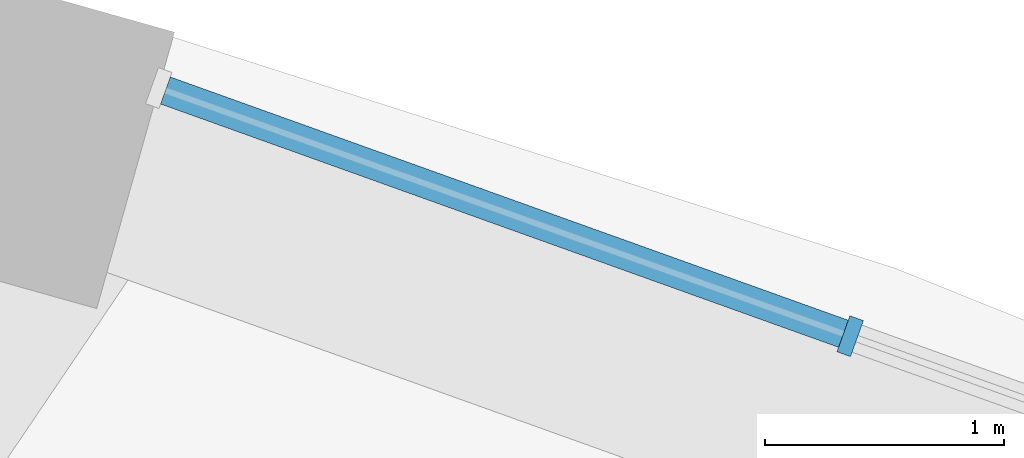
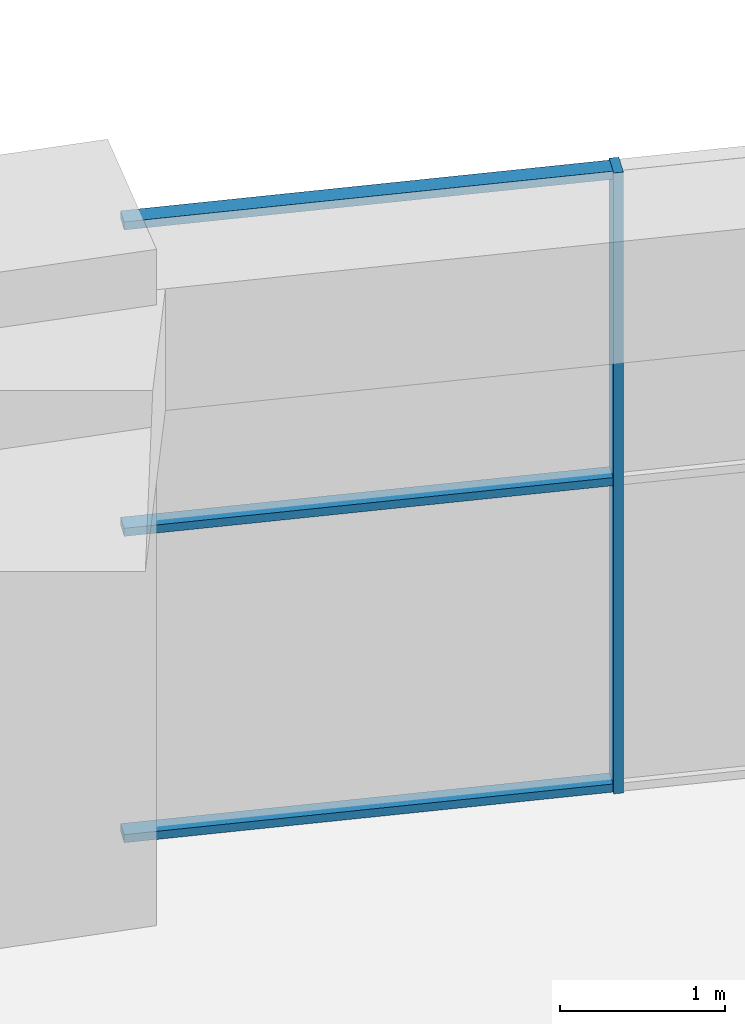
# One storey, part 17 of 32: 4 members, 1 element without a shape of its own.
"""IFC4 building model written with IfcOpenShell, lengths in metres."""

import ifcopenshell
import ifcopenshell.guid

model = None  # the IFC model being written
_history = None  # IfcOwnerHistory: only IFC2X3 demands one
_inside = {}  # id of a spatial element -> (the spatial element, [elements in it])
_under = {}  # id of a project, library or spatial element -> (it, [spatial elements below it])
_declared = {}  # id of a project -> (the project, [libraries it declares])
_typed = {}  # id of a type object -> (the type object, [elements of that type])
_made_of = {}  # id of a material, layer set ... -> (it, [elements and type objects made of it])


def new_model(schema):
    """Start an empty IFC model of exactly this schema.

    Asked for "IFC4X3", IfcOpenShell would pick the latest addendum, in which some entities
    have other attributes; the version numbers below select the first issue.
    IFC2X3 requires an IfcOwnerHistory on every rooted entity: one is made here for all.
    """
    global model, _history
    if schema == "IFC4X3":
        model = ifcopenshell.file(schema_version=(4, 3, 0, 0))
    else:
        model = ifcopenshell.file(schema=schema)
    _inside.clear()
    _under.clear()
    _declared.clear()
    _typed.clear()
    _made_of.clear()
    _history = None
    if model.schema == "IFC2X3":
        org = make("IfcOrganization", Name="unknown")
        user = make(
            "IfcPersonAndOrganization",
            ThePerson=make("IfcPerson", FamilyName="unknown"),
            TheOrganization=org,
        )
        app = make(
            "IfcApplication",
            ApplicationDeveloper=org,
            Version="unknown",
            ApplicationFullName="unknown",
            ApplicationIdentifier="unknown",
        )
        _history = make(
            "IfcOwnerHistory",
            OwningUser=user,
            OwningApplication=app,
            ChangeAction="ADDED",
            CreationDate=0,
        )
    return model


def make(cls, **values):
    """One entity of the class cls with the attributes given. An attribute that is None is left unset."""
    return model.create_entity(
        cls, **{name: value for name, value in values.items() if value is not None}
    )


def rooted(cls, **values):
    """An entity with a GlobalId (a new one), such as an element, a storey or a relation."""
    return make(cls, GlobalId=ifcopenshell.guid.new(), OwnerHistory=_history, **values)


def si_unit(unit_type, name, prefix=None):
    """IfcSIUnit, for example si_unit("LENGTHUNIT", "METRE", prefix="MILLI")."""
    return make("IfcSIUnit", UnitType=unit_type, Prefix=prefix, Name=name)


def assignment(units):
    """IfcUnitAssignment: the units of a project."""
    return None if units is None else make("IfcUnitAssignment", Units=units)


def point(xyz):
    """IfcCartesianPoint."""
    return None if xyz is None else make("IfcCartesianPoint", Coordinates=xyz)


def direction(xyz):
    """IfcDirection."""
    return None if xyz is None else make("IfcDirection", DirectionRatios=xyz)


def frame(location, z_axis=None, x_axis=None):
    """IfcAxis2Placement3D, a coordinate frame: its origin and axes. An axis left out is left unset."""
    return make(
        "IfcAxis2Placement3D",
        Location=point(location),
        Axis=direction(z_axis),
        RefDirection=direction(x_axis),
    )


def frame_2d(location, x_axis=None):
    """IfcAxis2Placement2D, a coordinate frame in the plane: its origin and x axis."""
    return make(
        "IfcAxis2Placement2D", Location=point(location), RefDirection=direction(x_axis)
    )


def origin():
    """The frame at (0, 0, 0) with its axes left unset."""
    return frame((0.0, 0.0, 0.0))


def origin_2d():
    """The frame at (0, 0) in the plane with its x axis left unset."""
    return frame_2d((0.0, 0.0))


def place(relative_to, where):
    """IfcLocalPlacement: puts the frame where relative to a parent placement (None: the world)."""
    return make(
        "IfcLocalPlacement", PlacementRelTo=relative_to, RelativePlacement=where
    )


def context(
    kind, dimensions, precision=None, world=None, true_north=None, identifier=None
):
    """IfcGeometricRepresentationContext, for example the 3D "Model" context."""
    return make(
        "IfcGeometricRepresentationContext",
        ContextIdentifier=identifier,
        ContextType=kind,
        CoordinateSpaceDimension=dimensions,
        Precision=precision,
        WorldCoordinateSystem=world,
        TrueNorth=true_north,
    )


def subcontext(parent, identifier, kind, view, scale=None):
    """IfcGeometricRepresentationSubContext, for example "Body" below "Model"."""
    return make(
        "IfcGeometricRepresentationSubContext",
        ContextIdentifier=identifier,
        ContextType=kind,
        ParentContext=parent,
        TargetScale=scale,
        TargetView=view,
    )


def project(units=None, contexts=None):
    """IfcProject with its units and contexts."""
    return rooted(
        "IfcProject",
        Name="project",
        RepresentationContexts=contexts,
        UnitsInContext=assignment(units),
    )


def spatial(cls, under=None, at=None, **own):
    """A site, building, storey or space (cls), placed at a placement, below another one or the project."""
    s = rooted(cls, ObjectPlacement=at, **own)
    if under is not None:
        _under.setdefault(under.id(), (under, []))[1].append(s)
    return s


def profile(cls, at=None, kind="AREA", **sizes):
    """A parametric profile (cls). Its sizes go by their IFC names, for example OverallWidth=200.0."""
    return make(cls, ProfileType=kind, Position=at, **sizes)


def rectangle(**sizes):
    """IfcRectangleProfileDef."""
    return profile("IfcRectangleProfileDef", **sizes)


def extrude(swept, where, along, depth):
    """IfcExtrudedAreaSolid: the profile swept, set in the frame where, extruded along a direction by depth."""
    return make(
        "IfcExtrudedAreaSolid",
        SweptArea=swept,
        Position=where,
        ExtrudedDirection=direction(along),
        Depth=depth,
    )


def shape(context_of_items, identifier, shape_type, items):
    """IfcShapeRepresentation: the items that make up one representation, for example the "Body"."""
    return make(
        "IfcShapeRepresentation",
        ContextOfItems=context_of_items,
        RepresentationIdentifier=identifier,
        RepresentationType=shape_type,
        Items=items,
    )


def material(Name=None, Category=None):
    """IfcMaterial."""
    return make("IfcMaterial", Name=Name, Category=Category)


def material_profile(
    of_material, cross_section, Name=None, Category=None, Priority=None
):
    """IfcMaterialProfile: a cross section and its material."""
    return make(
        "IfcMaterialProfile",
        Name=Name,
        Material=of_material,
        Profile=cross_section,
        Priority=Priority,
        Category=Category,
    )


def profile_set(profiles, Name=None, composite=None):
    """IfcMaterialProfileSet."""
    return make(
        "IfcMaterialProfileSet",
        Name=Name,
        MaterialProfiles=profiles,
        CompositeProfile=composite,
    )


def made_of(thing, what):
    """Note that an element or type object is made of a material, layer set ...; save() writes the relation."""
    if what is not None:
        _made_of.setdefault(what.id(), (what, []))[1].append(thing)
    return thing


def type_object(cls, material=None, **own):
    """A type object (cls), such as IfcWallType, which elements share."""
    return made_of(rooted(cls, **own), material)


def element(
    cls,
    number,
    at=None,
    inside=None,
    cuts=None,
    type_object=None,
    material=None,
    context=None,
    identifier="Body",
    shape_type=None,
    held_by="IfcProductDefinitionShape",
    body=None,
    shapes=None,
    **own,
):
    """One element of the class cls, such as IfcWall. Its Tag is "e" and its number.

    at: its placement. inside: the storey or other place that contains it. cuts: it is an
    opening in that element (IfcRelVoidsElement). A single representation is given by context,
    identifier, shape_type and body (its items); several are given by shapes. held_by: the class
    of the entity that holds the representations. save() writes the other relations.
    """
    e = rooted(cls, Tag="e%d" % number, ObjectPlacement=at, **own)
    if body is not None:
        shapes = [shape(context, identifier, shape_type, body)]
    if shapes is not None:
        e.Representation = make(held_by, Representations=shapes)
    if inside is not None:
        _inside.setdefault(inside.id(), (inside, []))[1].append(e)
    if cuts is not None:
        rooted(
            "IfcRelVoidsElement", RelatingBuildingElement=cuts, RelatedOpeningElement=e
        )
    if type_object is not None:
        _typed.setdefault(type_object.id(), (type_object, []))[1].append(e)
    return made_of(e, material)


def aggregate(whole, parts):
    """IfcRelAggregates: a whole, such as a stair, and the parts it consists of."""
    return rooted("IfcRelAggregates", RelatingObject=whole, RelatedObjects=parts)


def save(model, path):
    """Write the relations noted so far, then the file.

    IfcRelAggregates (storeys below a building ...), IfcRelContainedInSpatialStructure (elements
    in a storey), IfcRelDefinesByType, IfcRelAssociatesMaterial and IfcRelDeclares: one each for
    every whole, place, type object, material and project.
    """
    for whole, parts in _under.values():
        aggregate(whole, parts)
    for where, things in _inside.values():
        rooted(
            "IfcRelContainedInSpatialStructure",
            RelatedElements=things,
            RelatingStructure=where,
        )
    for kind, things in _typed.values():
        rooted("IfcRelDefinesByType", RelatedObjects=things, RelatingType=kind)
    for what, things in _made_of.values():
        rooted("IfcRelAssociatesMaterial", RelatedObjects=things, RelatingMaterial=what)
    for by, libraries in _declared.values():
        rooted("IfcRelDeclares", RelatingContext=by, RelatedDefinitions=libraries)
    model.write(path)


model = new_model("IFC4")

# Units and contexts
model_context = context("Model", 3, precision=1e-05, world=origin(), true_north=direction((0.0, 1.0)))
body_context = subcontext(model_context, "Body", "Model", "MODEL_VIEW")
ifc_project = project(units=[si_unit("LENGTHUNIT", "METRE"), si_unit("AREAUNIT", "SQUARE_METRE"), si_unit("VOLUMEUNIT", "CUBIC_METRE"), si_unit("PLANEANGLEUNIT", "RADIAN"), si_unit("MASSUNIT", "GRAM", prefix="KILO")], contexts=[model_context])

# Site, building, storey
site_placement = place(None, origin())
site = spatial("IfcSite", under=ifc_project, at=site_placement, CompositionType="ELEMENT")
building_placement = place(site_placement, origin())
building = spatial("IfcBuilding", under=site, at=building_placement, Name="Taillehof Tower", CompositionType="ELEMENT")
storey_placement = place(building_placement, frame((0.0, 0.0, 7.5)))
storey = spatial("IfcBuildingStorey", under=building, at=storey_placement, Name="L01", CompositionType="ELEMENT", Elevation=7.5)

# Curtain wall, members
ifc_material_1 = material(Name="Aluminium curtain wall with Clear low-emissivity double glazing", Category="aluminium")
curtain_wall_type = type_object("IfcCurtainWallType", Name="Podium window wall curtain wall", PredefinedType="USERDEFINED", material=ifc_material_1)
curtain_wall_placement = place(storey_placement, origin())
curtain_wall = element("IfcCurtainWall", 1, at=curtain_wall_placement, inside=storey, type_object=curtain_wall_type, Name="Podium window wall L01 bay 7", ObjectType="WINDOW WALL", PredefinedType="USERDEFINED")
ifc_material_2 = material(Name="Aluminium mullion", Category="aluminium")
ifc_material_profile_1 = material_profile(ifc_material_2, rectangle(XDim=0.159912109375, YDim=0.06005859375, at=origin_2d()), Name="AL 60x160")
ifc_profile_set_1 = profile_set([ifc_material_profile_1], Name="Aluminium mullion")
member_type_1 = type_object("IfcMemberType", Name="Podium window wall mullion 60x160", PredefinedType="MULLION", material=ifc_profile_set_1)
member_1_placement = place(storey_placement, frame((18.4072265625, 30.5302734375, 0.0), z_axis=(0.0, 0.0, 1.0), x_axis=(-0.337798502496, -0.94121845058, 0.0)))
member_1 = element("IfcMember", 2, at=member_1_placement, type_object=member_type_1, Name="CT207 mullion 2", PredefinedType="MULLION", context=body_context, shape_type="SweptSolid", body=[
    extrude(rectangle(XDim=0.159912109375, YDim=0.06005859375, at=origin_2d()), origin(), (0.0, 0.0, 1.0), 4.590087890625),
])
ifc_material_3 = material(Name="Aluminium transom", Category="aluminium")
ifc_material_profile_2 = material_profile(ifc_material_3, rectangle(XDim=0.1201171875, YDim=0.06005859375, at=origin_2d()), Name="AL 120x60")
ifc_profile_set_2 = profile_set([ifc_material_profile_2], Name="Aluminium transom")
member_type_2 = type_object("IfcMemberType", Name="Podium window wall transom 120x60", PredefinedType="USERDEFINED", material=ifc_profile_set_2)
member_2_placement = place(storey_placement, frame((18.37890625, 30.540283203125, 0.030029296875), z_axis=(-0.941225092519, 0.337779995281, 0.0), x_axis=(-0.337779995281, -0.941225092519, 0.0)))
member_2 = element("IfcMember", 3, at=member_2_placement, type_object=member_type_2, Name="CT207 transom 2.1", ObjectType="TRANSOM", PredefinedType="USERDEFINED", context=body_context, shape_type="SweptSolid", body=[
    extrude(rectangle(XDim=0.1201171875, YDim=0.06005859375, at=origin_2d()), origin(), (0.0, 0.0, 1.0), 3.009765625),
])
member_3_placement = place(storey_placement, frame((18.37890625, 30.540283203125, 2.294921875), z_axis=(-0.941225092519, 0.337779995281, 0.0), x_axis=(-0.337779995281, -0.941225092519, 0.0)))
member_3 = element("IfcMember", 4, at=member_3_placement, type_object=member_type_2, Name="CT207 transom 2.2", ObjectType="TRANSOM", PredefinedType="USERDEFINED", context=body_context, shape_type="SweptSolid", body=[
    extrude(rectangle(XDim=0.1201171875, YDim=0.06005859375, at=origin_2d()), origin(), (0.0, 0.0, 1.0), 3.009765625),
])
member_4_placement = place(storey_placement, frame((18.37890625, 30.540283203125, 4.56005859375), z_axis=(-0.941225092519, 0.337779995281, 0.0), x_axis=(-0.337779995281, -0.941225092519, 0.0)))
member_4 = element("IfcMember", 5, at=member_4_placement, type_object=member_type_2, Name="CT207 transom 2.3", ObjectType="TRANSOM", PredefinedType="USERDEFINED", context=body_context, shape_type="SweptSolid", body=[
    extrude(rectangle(XDim=0.1201171875, YDim=0.06005859375, at=origin_2d()), origin(), (0.0, 0.0, 1.0), 3.009765625),
])
aggregate(curtain_wall, [member_1, member_2, member_3, member_4])

save(model, "model.ifc")
